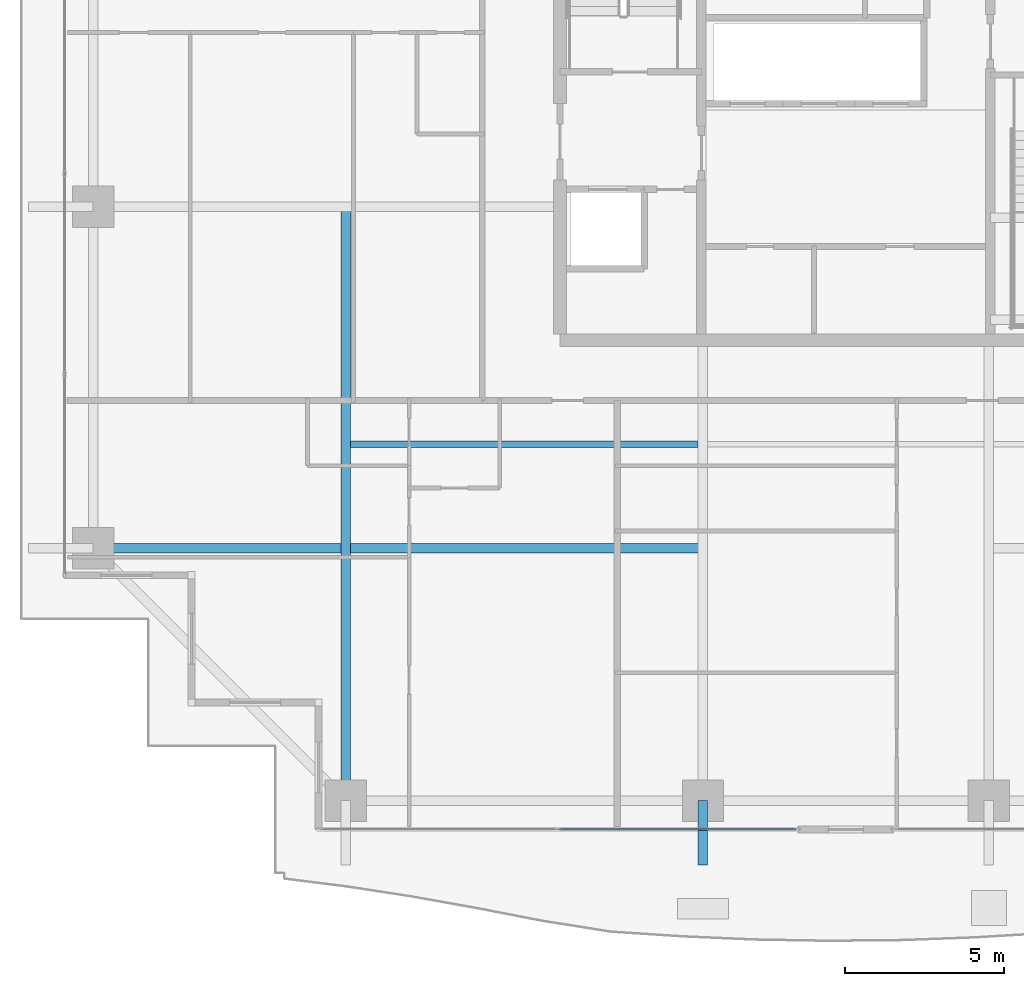
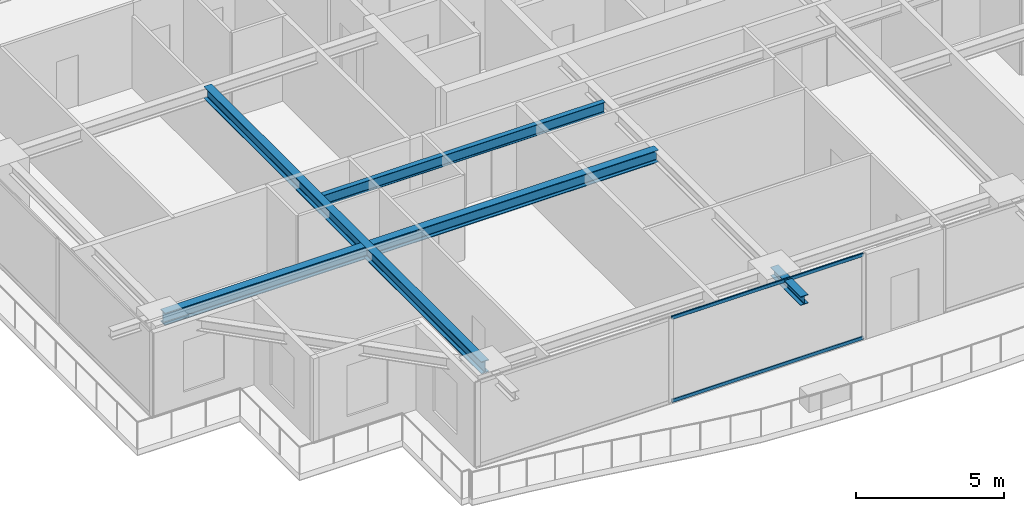
# One storey, part 4 of 37: 4 beams, 2 members, 1 element without a shape of its own.
"""IFC4 building model written with IfcOpenShell, lengths in metres."""

from ifc_helpers import new_model, si_unit, direction, frame, origin, origin_2d, place, context, subcontext, project, spatial, hollow_rectangle, i_section, extrude, source, transform, mapped, material, layer, layer_set, material_profile, profile_set, type_object, element, aggregate, save


model = new_model("IFC4")

# Units and contexts
model_context = context("Model", 3, precision=1e-05, world=origin(), true_north=direction((0.0, 1.0)))
body_context = subcontext(model_context, "Body", "Model", "MODEL_VIEW")
ifc_project = project(units=[si_unit("LENGTHUNIT", "METRE"), si_unit("AREAUNIT", "SQUARE_METRE"), si_unit("VOLUMEUNIT", "CUBIC_METRE"), si_unit("PLANEANGLEUNIT", "RADIAN"), si_unit("MASSUNIT", "GRAM", prefix="KILO")], contexts=[model_context])

# Site, building, storey
site_placement = place(None, origin())
site = spatial("IfcSite", under=ifc_project, at=site_placement, CompositionType="ELEMENT")
building_placement = place(site_placement, origin())
building = spatial("IfcBuilding", under=site, at=building_placement, Name="Serunith Strait Residences", CompositionType="ELEMENT")
storey_placement = place(building_placement, frame((0.0, 0.0, 161.39990234375)))
storey = spatial("IfcBuildingStorey", under=building, at=storey_placement, Name="L40", CompositionType="ELEMENT", Elevation=161.39990234375)

# Beams
ifc_material_1 = material(Name="Steel S355J2", Category="steel")
ifc_material_profile_1 = material_profile(ifc_material_1, i_section(OverallWidth=0.300048828125, OverallDepth=0.5, WebThickness=0.014404296875, FlangeThickness=0.028076171875, FilletRadius=0.027099609375, at=origin_2d()), Name="HEB 500")
ifc_profile_set_1 = profile_set([ifc_material_profile_1], Name="Steel S355J2")
beam_type_1 = type_object("IfcBeamType", Name="BM-HEB500", PredefinedType="BEAM", material=ifc_profile_set_1)
shared_shape_1 = source(origin(), body_context, "Body", "SweptSolid", [
    extrude(i_section(OverallWidth=0.300048828125, OverallDepth=0.5, WebThickness=0.014404296875, FlangeThickness=0.028076171875, FilletRadius=0.027099609375, at=origin_2d()), origin(), (0.0, 0.0, 1.0), 18.699951171875),
])
beam_1_placement = place(storey_placement, frame((16.64990234375, 21.0, 3.237060546875), z_axis=(0.0, -1.0, 0.0), x_axis=(1.0, 0.0, 0.0)))
element("IfcBeam", 1, at=beam_1_placement, inside=storey, type_object=beam_type_1, Name="L40 Orthogonal Corner Girder TC-S1", PredefinedType="BEAM", context=body_context, shape_type="MappedRepresentation", body=[
    mapped(shared_shape_1, transform((0.0, 0.0, 0.0), scale=1.0)),
])
shared_shape_2 = source(origin(), body_context, "Body", "SweptSolid", [
    extrude(i_section(OverallWidth=0.300048828125, OverallDepth=0.5, WebThickness=0.014404296875, FlangeThickness=0.028076171875, FilletRadius=0.027099609375, at=origin_2d()), origin(), (0.0, 0.0, 1.0), 19.199951171875),
])
beam_2_placement = place(storey_placement, frame((27.89990234375, 10.25, 3.237060546875), z_axis=(-1.0, 0.0, 0.0), x_axis=(0.0, -1.0, 0.0)))
element("IfcBeam", 2, at=beam_2_placement, inside=storey, type_object=beam_type_1, Name="L40 Orthogonal Corner Girder TC-W1", PredefinedType="BEAM", context=body_context, shape_type="MappedRepresentation", body=[
    mapped(shared_shape_2, transform((0.0, 0.0, 0.0), scale=1.0)),
])
ifc_material_profile_2 = material_profile(ifc_material_1, i_section(OverallWidth=0.18994140625, OverallDepth=0.449951171875, WebThickness=0.009521484375, FlangeThickness=0.0146484375, FilletRadius=0.02099609375, at=origin_2d()), Name="IPE 450")
ifc_profile_set_2 = profile_set([ifc_material_profile_2], Name="Steel S355J2")
beam_type_2 = type_object("IfcBeamType", Name="BM-IPE450", PredefinedType="JOIST", material=ifc_profile_set_2)
shared_shape_3 = source(origin(), body_context, "Body", "SweptSolid", [
    extrude(i_section(OverallWidth=0.18994140625, OverallDepth=0.449951171875, WebThickness=0.009521484375, FlangeThickness=0.0146484375, FilletRadius=0.02099609375, at=origin_2d()), origin(), (0.0, 0.0, 1.0), 10.949951171875),
])
beam_3_placement = place(storey_placement, frame((16.800048828125, 13.52490234375, 3.26220703125), z_axis=(1.0, 0.0, 0.0), x_axis=(0.0, 1.0, 0.0)))
element("IfcBeam", 3, at=beam_3_placement, inside=storey, type_object=beam_type_2, Name="L40 Composite Floor Joist 01", PredefinedType="JOIST", context=body_context, shape_type="MappedRepresentation", body=[
    mapped(shared_shape_3, transform((0.0, 0.0, 0.0), scale=1.0)),
])
ifc_material_profile_3 = material_profile(ifc_material_1, i_section(OverallWidth=0.300048828125, OverallDepth=0.360107421875, WebThickness=0.012451171875, FlangeThickness=0.0224609375, FilletRadius=0.027099609375, at=origin_2d()), Name="HEB 360")
ifc_profile_set_3 = profile_set([ifc_material_profile_3], Name="Steel S355J2")
beam_type_3 = type_object("IfcBeamType", Name="BM-HEB360", PredefinedType="BEAM", material=ifc_profile_set_3)
shared_shape_4 = source(origin(), body_context, "Body", "SweptSolid", [
    extrude(i_section(OverallWidth=0.300048828125, OverallDepth=0.360107421875, WebThickness=0.012451171875, FlangeThickness=0.0224609375, FilletRadius=0.027099609375, at=origin_2d()), origin(), (0.0, 0.0, 1.0), 2.030029296875),
])
beam_4_placement = place(storey_placement, frame((27.89990234375, 2.300048828125, 3.277099609375), z_axis=(0.0, -1.0, 0.0), x_axis=(1.0, 0.0, 0.0)))
element("IfcBeam", 4, at=beam_4_placement, inside=storey, type_object=beam_type_3, Name="L41 Cantilevered Balcony Rib TC-S2", PredefinedType="BEAM", context=body_context, shape_type="MappedRepresentation", body=[
    mapped(shared_shape_4, transform((0.0, 0.0, 0.0), scale=1.0)),
])

# Curtain wall, members
ifc_material_2 = material(Name="Pale-Champagne Anodised Aluminium", Category="aluminium")
ifc_layer = layer(ifc_material_2, 0.199951171875, Name="Pale-Champagne Anodised Aluminium")
ifc_layer_set = layer_set([ifc_layer], Name="Pale-Champagne Anodised Aluminium")
curtain_wall_type = type_object("IfcCurtainWallType", Name="CW-SYS2", PredefinedType="NOTDEFINED", material=ifc_layer_set)
curtain_wall_placement = place(storey_placement, origin())
curtain_wall = element("IfcCurtainWall", 5, at=curtain_wall_placement, inside=storey, type_object=curtain_wall_type, Name="L40 S Unitised Fritted Curtain Wall", PredefinedType="NOTDEFINED")
ifc_material_profile_4 = material_profile(ifc_material_2, hollow_rectangle(XDim=0.06005859375, YDim=0.139892578125, WallThickness=0.00341796875, InnerFilletRadius=0.00537109375, OuterFilletRadius=0.0087890625, at=origin_2d()), Name="ALU 140x60x3.5")
ifc_profile_set_4 = profile_set([ifc_material_profile_4], Name="Pale-Champagne Anodised Aluminium")
member_type = type_object("IfcMemberType", Name="CW-SYS2-TRAN", PredefinedType="USERDEFINED", material=ifc_profile_set_4)
shared_shape_5 = source(origin(), body_context, "Body", "SweptSolid", [
    extrude(hollow_rectangle(XDim=0.06005859375, YDim=0.139892578125, WallThickness=0.00341796875, InnerFilletRadius=0.00537109375, OuterFilletRadius=0.0087890625, at=origin_2d()), origin(), (0.0, 0.0, 1.0), 7.445068359375),
])
member_1_placement = place(storey_placement, frame((23.385009765625, 1.39990234375, 0.030029296875), z_axis=(1.0, 0.0, 0.0), x_axis=(0.0, 1.0, 0.0)))
member_1 = element("IfcMember", 6, at=member_1_placement, type_object=member_type, Name="CW-2 transom 2.1", ObjectType="TRANSOM", PredefinedType="USERDEFINED", context=body_context, shape_type="MappedRepresentation", body=[
    mapped(shared_shape_5, transform((0.0, 0.0, 0.0), scale=1.0)),
])
member_2_placement = place(storey_placement, frame((23.385009765625, 1.39990234375, 3.445068359375), z_axis=(1.0, 0.0, 0.0), x_axis=(0.0, 1.0, 0.0)))
member_2 = element("IfcMember", 7, at=member_2_placement, type_object=member_type, Name="CW-2 transom 2.2", ObjectType="TRANSOM", PredefinedType="USERDEFINED", context=body_context, shape_type="MappedRepresentation", body=[
    mapped(shared_shape_5, transform((0.0, 0.0, 0.0), scale=1.0)),
])
aggregate(curtain_wall, [member_1, member_2])

save(model, "model.ifc")
